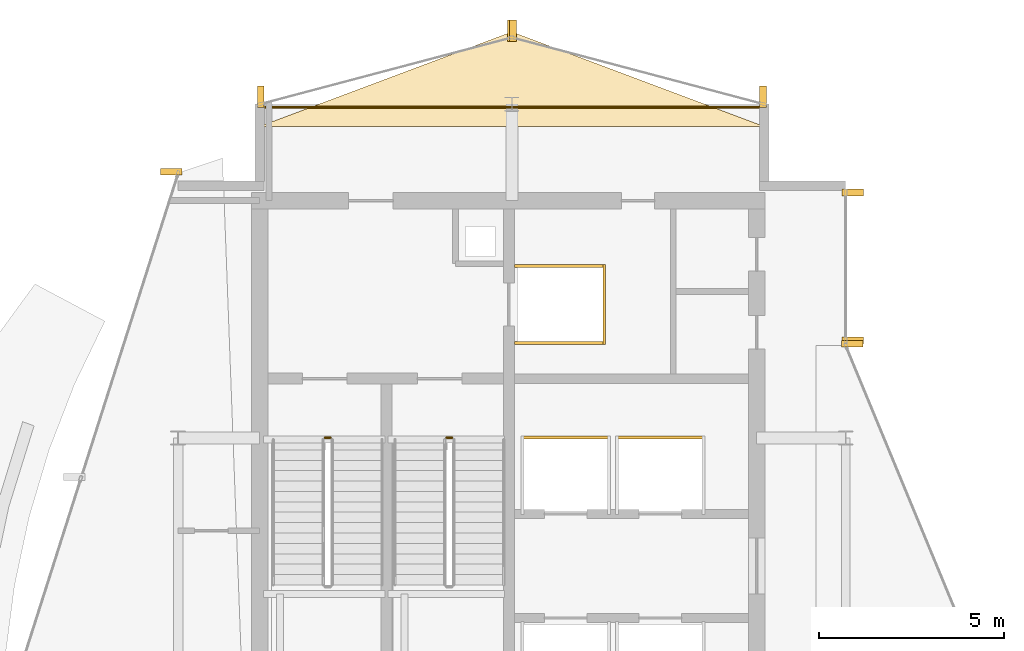
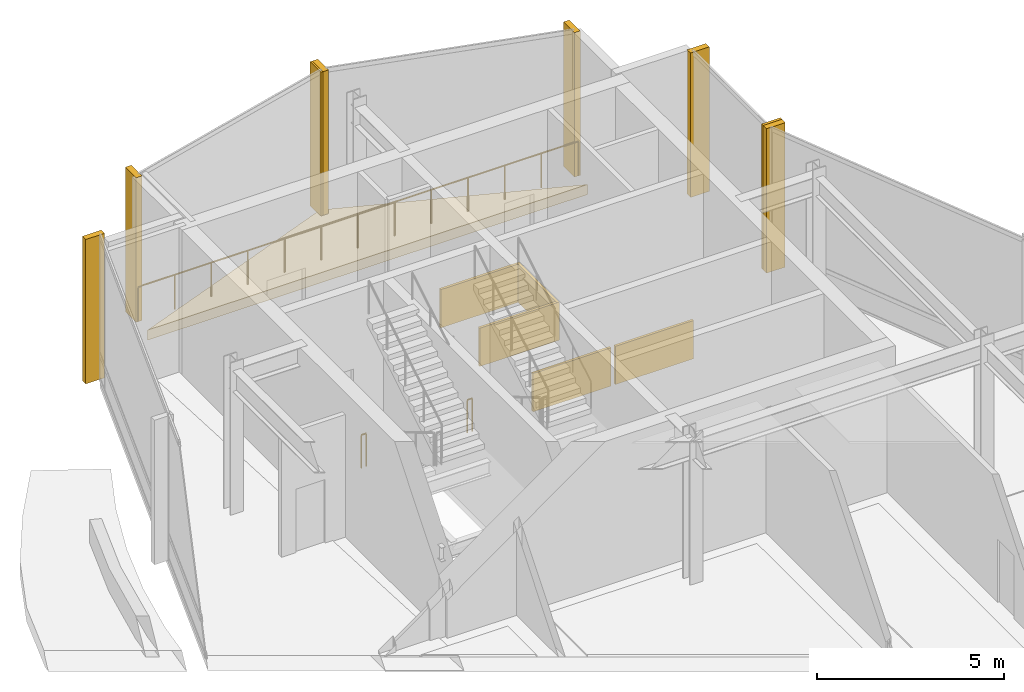
# One storey, part 22 of 23: 14 coverings, 3 railings.
"""IFC4 building model written with IfcOpenShell, lengths in metres."""

from ifc_helpers import new_model, si_unit, direction, frame, origin, origin_2d, place, context, subcontext, project, spatial, polyline, rectangle, circle, outline, extrude, material, layer, layer_set, type_object, element, save


model = new_model("IFC4")

# Units and contexts
model_context = context("Model", 3, precision=1e-05, world=origin(), true_north=direction((0.0, 1.0)))
body_context = subcontext(model_context, "Body", "Model", "MODEL_VIEW")
ifc_project = project(units=[si_unit("LENGTHUNIT", "METRE"), si_unit("AREAUNIT", "SQUARE_METRE"), si_unit("VOLUMEUNIT", "CUBIC_METRE"), si_unit("PLANEANGLEUNIT", "RADIAN"), si_unit("MASSUNIT", "GRAM", prefix="KILO")], contexts=[model_context])

# Site, building, storey
site_placement = place(None, origin())
site = spatial("IfcSite", under=ifc_project, at=site_placement, CompositionType="ELEMENT")
building_placement = place(site_placement, origin())
building = spatial("IfcBuilding", under=site, at=building_placement, Name="Solvaryn Broadcast Tower", CompositionType="ELEMENT")
storey_placement = place(building_placement, frame((0.0, 0.0, 235.800048828125)))
storey = spatial("IfcBuildingStorey", under=building, at=storey_placement, Name="L59", CompositionType="ELEMENT", Elevation=235.800048828125)

# Coverings
ifc_material_1 = material(Name="Fire-Rated Gypsum Shaftwall Liner", Category="concrete")
ifc_layer_1 = layer(ifc_material_1, 0.080078125)
ifc_layer_set_1 = layer_set([ifc_layer_1], Name="CV-SHAFT-LINER")
covering_type_1 = type_object("IfcCoveringType", Name="CV-SHAFT-LINER", PredefinedType="CLADDING", material=ifc_layer_set_1)
for number, where, z_axis, x_axis, name in (
    (1, (19.300048828125, 40.639892578125, 0.0), (0.0, 0.0, 1.0), (1.0, 0.0, 0.0), "L59 FL1 Hoistway Shaft Liner North"),
    (2, (19.300048828125, 38.56005859375, 0.0), (0.0, 0.0, 1.0), (1.0, 0.0, 0.0), "L59 FL1 Hoistway Shaft Liner South"),
):
    element("IfcCovering", number, at=place(storey_placement, frame(where, z_axis=z_axis, x_axis=x_axis)), inside=storey, type_object=covering_type_1, Name=name, PredefinedType="CLADDING", context=body_context, shape_type="SweptSolid", body=[
        extrude(rectangle(XDim=2.4599609375, YDim=0.080078125, at=origin_2d()), origin(), (0.0, 0.0, 1.0), 1.25),
    ])
covering_1_placement = place(storey_placement, frame((20.489990234375, 39.60009765625, 0.0), z_axis=(0.0, 0.0, 1.0), x_axis=(1.0, 0.0, 0.0)))
element("IfcCovering", 3, at=covering_1_placement, inside=storey, type_object=covering_type_1, Name="L59 FL1 Hoistway Shaft Liner East", PredefinedType="CLADDING", context=body_context, shape_type="SweptSolid", body=[
    extrude(rectangle(XDim=0.080078125, YDim=2.159912109375, at=origin_2d()), origin(), (0.0, 0.0, 1.0), 1.25),
])
for number, where, z_axis, x_axis, name in (
    (4, (19.449951171875, 36.014892578125, 0.0), (0.0, 0.0, 1.0), (1.0, 0.0, 0.0), "L59 PH3 Hoistway Shaft Liner North"),
    (5, (22.0, 36.014892578125, 0.0), (0.0, 0.0, 1.0), (1.0, 0.0, 0.0), "L59 PH4 Hoistway Shaft Liner North"),
):
    element("IfcCovering", number, at=place(storey_placement, frame(where, z_axis=z_axis, x_axis=x_axis)), inside=storey, type_object=covering_type_1, Name=name, PredefinedType="CLADDING", context=body_context, shape_type="SweptSolid", body=[
        extrude(rectangle(XDim=2.409912109375, YDim=0.080078125, at=origin_2d()), origin(), (0.0, 0.0, 1.0), 1.25),
    ])
ifc_material_2 = material(Name="Extruded Architectural Terracotta Fin", Category="masonry")
ifc_layer_2 = layer(ifc_material_2, 0.179931640625)
ifc_layer_set_2 = layer_set([ifc_layer_2], Name="CV-TC-FIN")
covering_type_2 = type_object("IfcCoveringType", Name="CV-TC-FIN", PredefinedType="USERDEFINED", material=ifc_layer_set_2)
for number, where, z_axis, x_axis, name in (
    (6, (8.819091796875, 43.17529296875, 0.0), (0.0, 0.0, 1.0), (1.0, 0.0, 0.0), "L59 Terracotta Vertical Fin FIN-L59-DR1-M00"),
    (7, (27.1875, 42.6201171875, 0.0), (0.0, 0.0, 1.0), (1.0, 0.0, 0.0), "L59 Terracotta Vertical Fin FIN-L59-IV-M00"),
    (8, (27.1875, 38.6298828125, 0.0), (0.0, 0.0, 1.0), (1.0, 0.0, 0.0), "L59 Terracotta Vertical Fin FIN-L59-IV-M01"),
    (9, (27.177978515625, 38.541259765625, 0.0), (0.0, 0.0, 1.0), (1.0, 0.0, 0.0), "L59 Terracotta Vertical Fin FIN-L59-CN2-M01"),
):
    element("IfcCovering", number, at=place(storey_placement, frame(where, z_axis=z_axis, x_axis=x_axis)), inside=storey, type_object=covering_type_2, Name=name, ObjectType="FIN", PredefinedType="USERDEFINED", context=body_context, shape_type="SweptSolid", body=[
        extrude(rectangle(XDim=0.580078125, YDim=0.179931640625, at=origin_2d()), origin(), (0.0, 0.0, 1.0), 4.719970703125),
    ])
for number, where, z_axis, x_axis, name in (
    (10, (24.77099609375, 45.1953125, 0.0), (0.0, 0.0, 1.0), (1.0, 0.0, 0.0), "L59 Terracotta Vertical Fin FIN-L59-NT1-M00"),
    (11, (18.029052734375, 46.979736328125, 0.0), (0.0, 0.0, 1.0), (1.0, 0.0, 0.0), "L59 Terracotta Vertical Fin FIN-L59-NT1-M01"),
    (12, (17.970947265625, 46.979736328125, 0.0), (0.0, 0.0, 1.0), (1.0, 0.0, 0.0), "L59 Terracotta Vertical Fin FIN-L59-NT2-M00"),
    (13, (11.22900390625, 45.1953125, 0.0), (0.0, 0.0, 1.0), (1.0, 0.0, 0.0), "L59 Terracotta Vertical Fin FIN-L59-NT2-M01"),
):
    element("IfcCovering", number, at=place(storey_placement, frame(where, z_axis=z_axis, x_axis=x_axis)), inside=storey, type_object=covering_type_2, Name=name, ObjectType="FIN", PredefinedType="USERDEFINED", context=body_context, shape_type="SweptSolid", body=[
        extrude(rectangle(XDim=0.179931640625, YDim=0.580078125, at=origin_2d()), origin(), (0.0, 0.0, 1.0), 4.719970703125),
    ])
ifc_material_3 = material(Name="Sculpted Architectural Terracotta Wave Fascia", Category="masonry")
ifc_layer_3 = layer(ifc_material_3, 0.340087890625)
ifc_layer_set_3 = layer_set([ifc_layer_3], Name="CV-WAVE-TRAY")
covering_type_3 = type_object("IfcCoveringType", Name="CV-WAVE-TRAY", PredefinedType="CLADDING", material=ifc_layer_set_3)
covering_2_placement = place(storey_placement, frame((0.0, 0.0, -0.300048828125)))
element("IfcCovering", 14, at=covering_2_placement, inside=storey, type_object=covering_type_3, Name="L59 North Curved Wing Deck", PredefinedType="CLADDING", context=body_context, shape_type="SweptSolid", body=[
    extrude(outline(polyline([(11.199951171875, 44.39990234375), (24.800048828125, 44.39990234375), (18.0, 46.949951171875), (11.199951171875, 44.39990234375)])), origin(), (0.0, 0.0, 1.0), 0.330078125),
])

# Railings
ifc_material_4 = material(Name="Painted Steel Stair Well Guard", Category="steel")
railing_type_1 = type_object("IfcRailingType", Name="RL-STAIR-GUARD", PredefinedType="BALUSTRADE", material=ifc_material_4)
railing_1_placement = place(storey_placement, frame((12.9599609375, 36.010009765625, 0.0)))
element("IfcRailing", 15, at=railing_1_placement, inside=storey, type_object=railing_type_1, Name="L59 ST1 stair guard 4", PredefinedType="BALUSTRADE", context=body_context, shape_type="SweptSolid", body=[
    extrude(circle(Radius=0.02392578125, at=origin_2d()), frame((0.0, 0.0, 1.076171875), z_axis=(1.0, 0.0, 0.0), x_axis=(0.0, 1.0, 0.0)), (0.0, 0.0, 1.0), 0.150146484375),
    extrude(circle(Radius=0.02099609375, at=origin_2d()), origin(), (0.0, 0.0, 1.0), 1.052001953125),
    extrude(circle(Radius=0.02099609375, at=origin_2d()), frame((0.150146484375, 0.0, 0.0)), (0.0, 0.0, 1.0), 1.052001953125),
])
railing_2_placement = place(storey_placement, frame((16.239990234375, 36.010009765625, 0.0)))
element("IfcRailing", 16, at=railing_2_placement, inside=storey, type_object=railing_type_1, Name="L59 ST2 stair guard 4", PredefinedType="BALUSTRADE", context=body_context, shape_type="SweptSolid", body=[
    extrude(circle(Radius=0.02392578125, at=origin_2d()), frame((0.0, 0.0, 1.076171875), z_axis=(1.0, 0.0, 0.0), x_axis=(0.0, 1.0, 0.0)), (0.0, 0.0, 1.0), 0.14990234375),
    extrude(circle(Radius=0.02099609375, at=origin_2d()), origin(), (0.0, 0.0, 1.0), 1.052001953125),
    extrude(circle(Radius=0.02099609375, at=origin_2d()), frame((0.14990234375, 0.0, 0.0)), (0.0, 0.0, 1.0), 1.052001953125),
])
ifc_material_5 = material(Name="Stainless Steel and Laminated Glass Guard", Category="steel")
railing_type_2 = type_object("IfcRailingType", Name="RL-TER-1150", PredefinedType="BALUSTRADE", material=ifc_material_5)
railing_3_placement = place(storey_placement, frame((11.199951171875, 44.919921875, 0.0)))
element("IfcRailing", 17, at=railing_3_placement, inside=storey, type_object=railing_type_2, Name="L59 North Wing Spandrel Edge Guard", PredefinedType="BALUSTRADE", context=body_context, shape_type="SweptSolid", body=[
    extrude(circle(Radius=0.02392578125, at=origin_2d()), frame((0.0, 0.0, 1.1259765625), z_axis=(1.0, 0.0, 0.0), x_axis=(0.0, 1.0, 0.0)), (0.0, 0.0, 1.0), 13.60009765625),
    extrude(circle(Radius=0.02099609375, at=origin_2d()), origin(), (0.0, 0.0, 1.0), 1.101806640625),
    extrude(circle(Radius=0.02099609375, at=origin_2d()), frame((1.13330078125, 0.0, 0.0)), (0.0, 0.0, 1.0), 1.101806640625),
    extrude(circle(Radius=0.02099609375, at=origin_2d()), frame((2.2666015625, 0.0, 0.0)), (0.0, 0.0, 1.0), 1.101806640625),
    extrude(circle(Radius=0.02099609375, at=origin_2d()), frame((3.39990234375, 0.0, 0.0)), (0.0, 0.0, 1.0), 1.101806640625),
    extrude(circle(Radius=0.02099609375, at=origin_2d()), frame((4.533447265625, 0.0, 0.0)), (0.0, 0.0, 1.0), 1.101806640625),
    extrude(circle(Radius=0.02099609375, at=origin_2d()), frame((5.666748046875, 0.0, 0.0)), (0.0, 0.0, 1.0), 1.101806640625),
    extrude(circle(Radius=0.02099609375, at=origin_2d()), frame((6.800048828125, 0.0, 0.0)), (0.0, 0.0, 1.0), 1.101806640625),
    extrude(circle(Radius=0.02099609375, at=origin_2d()), frame((7.933349609375, 0.0, 0.0)), (0.0, 0.0, 1.0), 1.101806640625),
    extrude(circle(Radius=0.02099609375, at=origin_2d()), frame((9.066650390625, 0.0, 0.0)), (0.0, 0.0, 1.0), 1.101806640625),
    extrude(circle(Radius=0.02099609375, at=origin_2d()), frame((10.2001953125, 0.0, 0.0)), (0.0, 0.0, 1.0), 1.101806640625),
    extrude(circle(Radius=0.02099609375, at=origin_2d()), frame((11.33349609375, 0.0, 0.0)), (0.0, 0.0, 1.0), 1.101806640625),
    extrude(circle(Radius=0.02099609375, at=origin_2d()), frame((12.466796875, 0.0, 0.0)), (0.0, 0.0, 1.0), 1.101806640625),
    extrude(circle(Radius=0.02099609375, at=origin_2d()), frame((13.60009765625, 0.0, 0.0)), (0.0, 0.0, 1.0), 1.101806640625),
])

save(model, "model.ifc")
